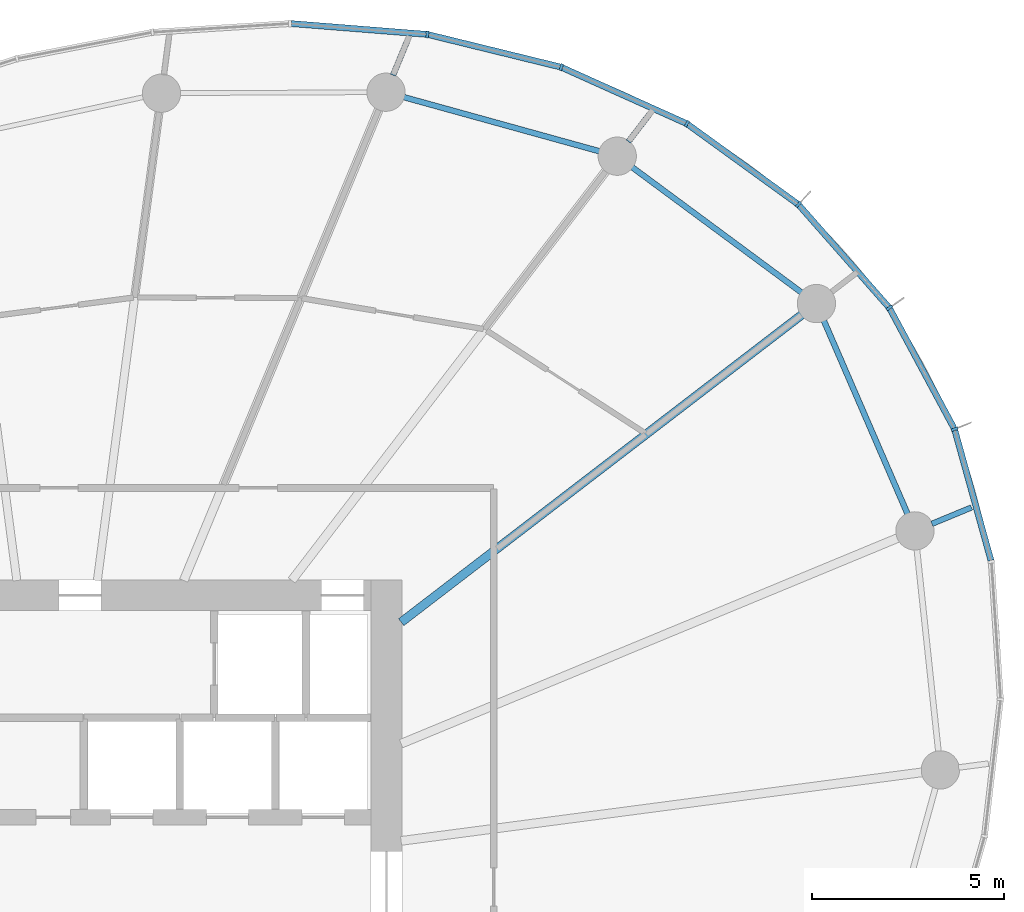
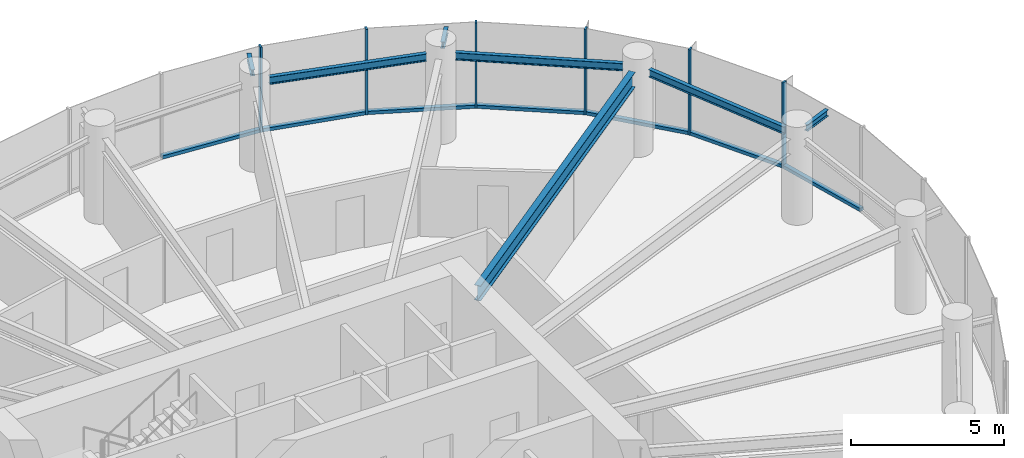
# One storey, part 6 of 15: 13 members, 7 beams, 2 elements without a shape of their own.
"""IFC4 building model written with IfcOpenShell, lengths in metres."""

from ifc_helpers import new_model, si_unit, direction, frame, origin, origin_2d, place, context, subcontext, project, spatial, rectangle, i_section, extrude, source, transform, mapped, material, layer, layer_set, material_profile, profile_set, type_object, element, aggregate, save


model = new_model("IFC4")

# Units and contexts
model_context = context("Model", 3, precision=1e-05, world=origin(), true_north=direction((0.0, 1.0)))
body_context = subcontext(model_context, "Body", "Model", "MODEL_VIEW")
ifc_project = project(units=[si_unit("LENGTHUNIT", "METRE"), si_unit("AREAUNIT", "SQUARE_METRE"), si_unit("VOLUMEUNIT", "CUBIC_METRE"), si_unit("PLANEANGLEUNIT", "RADIAN"), si_unit("MASSUNIT", "GRAM", prefix="KILO")], contexts=[model_context])

# Site, building, storey
site_placement = place(None, origin())
site = spatial("IfcSite", under=ifc_project, at=site_placement, CompositionType="ELEMENT")
building_placement = place(site_placement, origin())
building = spatial("IfcBuilding", under=site, at=building_placement, Name="Spindrift Exchange Tower", CompositionType="ELEMENT")
storey_placement = place(building_placement, frame((0.0, 0.0, 176.0)))
storey = spatial("IfcBuildingStorey", under=building, at=storey_placement, Name="L42", CompositionType="ELEMENT", Elevation=176.0)

# Beams
ifc_material_1 = material(Name="Steel Grade 300", Category="steel")
ifc_material_profile_1 = material_profile(ifc_material_1, i_section(OverallWidth=0.14599609375, OverallDepth=0.251953125, WebThickness=0.006103515625, FlangeThickness=0.008544921875, FilletRadius=0.011962890625, at=origin_2d()), Name="250UB31.4")
ifc_profile_set_1 = profile_set([ifc_material_profile_1], Name="Steel Grade 300")
beam_type_1 = type_object("IfcBeamType", Name="Cantilever Beam 250UB31.4 Steel Grade 300", PredefinedType="BEAM", material=ifc_profile_set_1)
shared_shape_1 = source(origin(), body_context, "Body", "SweptSolid", [
    extrude(i_section(OverallWidth=0.14599609375, OverallDepth=0.251953125, WebThickness=0.006103515625, FlangeThickness=0.008544921875, FilletRadius=0.011962890625, at=origin_2d()), origin(), (0.0, 0.0, 1.0), 0.964111328125),
])
beam_1_placement = place(storey_placement, frame((60.770751953125, 69.17431640625, 3.27392578125), z_axis=(0.382672391391, 0.923884105755, 0.0), x_axis=(-0.923884105755, 0.382672391391, 0.0)))
element("IfcBeam", 1, at=beam_1_placement, inside=storey, type_object=beam_type_1, Name="L42 cantilever beam R05T", PredefinedType="BEAM", context=body_context, shape_type="MappedRepresentation", body=[
    mapped(shared_shape_1, transform((0.0, 0.0, 0.0), scale=1.0)),
])
ifc_material_profile_2 = material_profile(ifc_material_1, i_section(OverallWidth=0.14892578125, OverallDepth=0.298095703125, WebThickness=0.005615234375, FlangeThickness=0.008056640625, FilletRadius=0.012939453125, at=origin_2d()), Name="310UB32.0")
ifc_profile_set_2 = profile_set([ifc_material_profile_2], Name="Steel Grade 300")
beam_type_2 = type_object("IfcBeamType", Name="Edge Beam 310UB32.0 Steel Grade 300", PredefinedType="SPANDREL", material=ifc_profile_set_2)
shared_shape_2 = source(origin(), body_context, "Body", "SweptSolid", [
    extrude(i_section(OverallWidth=0.14892578125, OverallDepth=0.298095703125, WebThickness=0.005615234375, FlangeThickness=0.008056640625, FilletRadius=0.012939453125, at=origin_2d()), origin(), (0.0, 0.0, 1.0), 5.508544921875),
])
beam_2_placement = place(storey_placement, frame((74.205810546875, 57.717529296875, 3.2509765625), z_axis=(-0.397414644433, 0.917639144975, 0.0), x_axis=(-0.917639144975, -0.397414644433, 0.0)))
element("IfcBeam", 2, at=beam_2_placement, inside=storey, type_object=beam_type_2, Name="L42 edge beam E02", PredefinedType="SPANDREL", context=body_context, shape_type="MappedRepresentation", body=[
    mapped(shared_shape_2, transform((0.0, 0.0, 0.0), scale=1.0)),
])
shared_shape_3 = source(origin(), body_context, "Body", "SweptSolid", [
    extrude(i_section(OverallWidth=0.14892578125, OverallDepth=0.298095703125, WebThickness=0.005615234375, FlangeThickness=0.008056640625, FilletRadius=0.012939453125, at=origin_2d()), origin(), (0.0, 0.0, 1.0), 5.509033203125),
])
beam_3_placement = place(storey_placement, frame((71.43994140625, 63.498291015625, 3.2509765625), z_axis=(-0.803991901791, 0.594640245741, 0.0), x_axis=(-0.594640245741, -0.803991901791, 0.0)))
element("IfcBeam", 3, at=beam_3_placement, inside=storey, type_object=beam_type_2, Name="L42 edge beam E03", PredefinedType="SPANDREL", context=body_context, shape_type="MappedRepresentation", body=[
    mapped(shared_shape_3, transform((0.0, 0.0, 0.0), scale=1.0)),
])
shared_shape_4 = source(origin(), body_context, "Body", "SweptSolid", [
    extrude(i_section(OverallWidth=0.14892578125, OverallDepth=0.298095703125, WebThickness=0.005615234375, FlangeThickness=0.008056640625, FilletRadius=0.012939453125, at=origin_2d()), origin(), (0.0, 0.0, 1.0), 5.30517578125),
])
beam_4_placement = place(storey_placement, frame((66.162353515625, 67.1875, 3.2509765625), z_axis=(-0.963757513624, 0.26677978734, 0.0), x_axis=(-0.26677978734, -0.963757513624, 0.0)))
element("IfcBeam", 4, at=beam_4_placement, inside=storey, type_object=beam_type_2, Name="L42 edge beam E04", PredefinedType="SPANDREL", context=body_context, shape_type="MappedRepresentation", body=[
    mapped(shared_shape_4, transform((0.0, 0.0, 0.0), scale=1.0)),
])
ifc_material_profile_3 = material_profile(ifc_material_1, i_section(OverallWidth=0.22802734375, OverallDepth=0.60205078125, WebThickness=0.010498046875, FlangeThickness=0.014892578125, FilletRadius=0.013916015625, at=origin_2d()), Name="610UB101")
ifc_profile_set_3 = profile_set([ifc_material_profile_3], Name="Steel Grade 300")
beam_type_3 = type_object("IfcBeamType", Name="Floor Beam 610UB101 Steel Grade 300", PredefinedType="BEAM", material=ifc_profile_set_3)
shared_shape_5 = source(origin(), body_context, "Body", "SweptSolid", [
    extrude(i_section(OverallWidth=0.22802734375, OverallDepth=0.60205078125, WebThickness=0.010498046875, FlangeThickness=0.014892578125, FilletRadius=0.013916015625, at=origin_2d()), origin(), (0.0, 0.0, 1.0), 13.185546875),
])
beam_5_placement = place(storey_placement, frame((60.984130859375, 54.893798828125, 3.09912109375), z_axis=(0.793357156703, 0.608756455332, 0.0), x_axis=(-0.608756455332, 0.793357156703, 0.0)))
element("IfcBeam", 5, at=beam_5_placement, inside=storey, type_object=beam_type_3, Name="L42 radial beam R03A", PredefinedType="BEAM", context=body_context, shape_type="MappedRepresentation", body=[
    mapped(shared_shape_5, transform((0.0, 0.0, 0.0), scale=1.0)),
])
shared_shape_6 = source(origin(), body_context, "Body", "SweptSolid", [
    extrude(i_section(OverallWidth=0.14599609375, OverallDepth=0.251953125, WebThickness=0.006103515625, FlangeThickness=0.008544921875, FilletRadius=0.011962890625, at=origin_2d()), origin(), (0.0, 0.0, 1.0), 1.1201171875),
])
beam_6_placement = place(storey_placement, frame((74.840087890625, 57.460693359375, 3.27392578125), z_axis=(0.923868073298, 0.382711096181, 0.0), x_axis=(-0.382711096181, 0.923868073298, 0.0)))
element("IfcBeam", 6, at=beam_6_placement, inside=storey, type_object=beam_type_1, Name="L42 cantilever beam R02T", PredefinedType="BEAM", context=body_context, shape_type="MappedRepresentation", body=[
    mapped(shared_shape_6, transform((0.0, 0.0, 0.0), scale=1.0)),
])
shared_shape_7 = source(origin(), body_context, "Body", "SweptSolid", [
    extrude(i_section(OverallWidth=0.14599609375, OverallDepth=0.251953125, WebThickness=0.006103515625, FlangeThickness=0.008544921875, FilletRadius=0.011962890625, at=origin_2d()), origin(), (0.0, 0.0, 1.0), 0.89990234375),
])
beam_7_placement = place(storey_placement, frame((66.9169921875, 67.440185546875, 3.27392578125), z_axis=(0.608818785139, 0.79330932609, 0.0), x_axis=(-0.79330932609, 0.608818785139, 0.0)))
element("IfcBeam", 7, at=beam_7_placement, inside=storey, type_object=beam_type_1, Name="L42 cantilever beam R04T", PredefinedType="BEAM", context=body_context, shape_type="MappedRepresentation", body=[
    mapped(shared_shape_7, transform((0.0, 0.0, 0.0), scale=1.0)),
])

# Curtain wall, member
ifc_material_2 = material(Name="Fritted laminated glass with bronze frame", Category="glass")
ifc_layer = layer(ifc_material_2, 0.179931640625)
ifc_layer_set = layer_set([ifc_layer], Name="ZONE 3 BRONZE FRITTED WALL")
curtain_wall_type = type_object("IfcCurtainWallType", Name="ZONE 3 BRONZE FRITTED WALL", PredefinedType="NOTDEFINED", material=ifc_layer_set)
curtain_wall_1_placement = place(storey_placement, origin())
curtain_wall_1 = element("IfcCurtainWall", 8, at=curtain_wall_1_placement, inside=storey, type_object=curtain_wall_type, Name="L42 Zone 3 Bronze Fritted Wall run 1", PredefinedType="NOTDEFINED")
ifc_material_3 = material(Name="Bronze anodised aluminium", Category="aluminium")
ifc_material_profile_4 = material_profile(ifc_material_3, rectangle(XDim=0.159912109375, YDim=0.1298828125, at=origin_2d()), Name="ZONE 3 BRONZE FRITTED WALL TRANSOM 160X130")
ifc_profile_set_4 = profile_set([ifc_material_profile_4], Name="Bronze anodised aluminium")
member_type_1 = type_object("IfcMemberType", Name="ZONE 3 BRONZE FRITTED WALL TRANSOM 160X130", PredefinedType="USERDEFINED", material=ifc_profile_set_4)
shared_shape_8 = source(origin(), body_context, "Body", "SweptSolid", [
    extrude(rectangle(XDim=0.159912109375, YDim=0.1298828125, at=origin_2d()), origin(), (0.0, 0.0, 1.0), 3.524658203125),
])
member_1_placement = place(storey_placement, frame((73.70703125, 63.126220703125, 0.06494140625), z_axis=(-0.660649754627, 0.750694279791, 0.0), x_axis=(-0.750694279791, -0.660649754627, 0.0)))
member_1 = element("IfcMember", 9, at=member_1_placement, type_object=member_type_1, Name="L42 transom CW-3.1", ObjectType="TRANSOM", PredefinedType="USERDEFINED", context=body_context, shape_type="MappedRepresentation", body=[
    mapped(shared_shape_8, transform((0.0, 0.0, 0.0), scale=1.0)),
])

# Curtain wall, members
curtain_wall_2_placement = place(storey_placement, origin())
curtain_wall_2 = element("IfcCurtainWall", 10, at=curtain_wall_2_placement, inside=storey, type_object=curtain_wall_type, Name="L42 Zone 3 Bronze Fritted Wall run 7", PredefinedType="NOTDEFINED")
member_2_placement = place(storey_placement, frame((75.41455078125, 59.9638671875, 0.06494140625), z_axis=(-0.473149535638, 0.880982132013, 0.0), x_axis=(-0.880982132013, -0.473149535638, 0.0)))
member_2 = element("IfcMember", 11, at=member_2_placement, type_object=member_type_1, Name="L42 transom CW-3.41", ObjectType="TRANSOM", PredefinedType="USERDEFINED", context=body_context, shape_type="MappedRepresentation", body=[
    mapped(shared_shape_8, transform((0.0, 0.0, 0.0), scale=1.0)),
])
shared_shape_9 = source(origin(), body_context, "Body", "SweptSolid", [
    extrude(rectangle(XDim=0.159912109375, YDim=0.1298828125, at=origin_2d()), origin(), (0.0, 0.0, 1.0), 3.525390625),
])
member_3_placement = place(storey_placement, frame((76.383544921875, 56.502197265625, 0.06494140625), z_axis=(-0.26751528139, 0.963553617721, 0.0), x_axis=(-0.963553617721, -0.26751528139, 0.0)))
member_3 = element("IfcMember", 12, at=member_3_placement, type_object=member_type_1, Name="L42 transom CW-3.40", ObjectType="TRANSOM", PredefinedType="USERDEFINED", context=body_context, shape_type="MappedRepresentation", body=[
    mapped(shared_shape_9, transform((0.0, 0.0, 0.0), scale=1.0)),
])

# Member
shared_shape_10 = source(origin(), body_context, "Body", "SweptSolid", [
    extrude(rectangle(XDim=0.159912109375, YDim=0.1298828125, at=origin_2d()), origin(), (0.0, 0.0, 1.0), 3.528076171875),
])
member_4_placement = place(storey_placement, frame((65.12939453125, 69.39208984375, 0.06494140625), z_axis=(-0.97125553348, 0.238039258704, 0.0), x_axis=(-0.238039258704, -0.97125553348, 0.0)))
member_4 = element("IfcMember", 13, at=member_4_placement, type_object=member_type_1, Name="L42 transom CW-3.4", ObjectType="TRANSOM", PredefinedType="USERDEFINED", context=body_context, shape_type="MappedRepresentation", body=[
    mapped(shared_shape_10, transform((0.0, 0.0, 0.0), scale=1.0)),
])

shared_shape_11 = source(origin(), body_context, "Body", "SweptSolid", [
    extrude(rectangle(XDim=0.159912109375, YDim=0.1298828125, at=origin_2d()), origin(), (0.0, 0.0, 1.0), 3.529052734375),
])
member_5_placement = place(storey_placement, frame((61.6337890625, 70.242919921875, 0.06494140625), z_axis=(-0.99685256237, 0.07927779573, 0.0), x_axis=(-0.07927779573, -0.99685256237, 0.0)))
member_5 = element("IfcMember", 14, at=member_5_placement, type_object=member_type_1, Name="L42 transom CW-3.5", ObjectType="TRANSOM", PredefinedType="USERDEFINED", context=body_context, shape_type="MappedRepresentation", body=[
    mapped(shared_shape_11, transform((0.0, 0.0, 0.0), scale=1.0)),
])

shared_shape_12 = source(origin(), body_context, "Body", "SweptSolid", [
    extrude(rectangle(XDim=0.159912109375, YDim=0.1298828125, at=origin_2d()), origin(), (0.0, 0.0, 1.0), 3.52685546875),
])
member_6_placement = place(storey_placement, frame((68.411865234375, 67.922607421875, 0.06494140625), z_axis=(-0.911992727656, 0.410206368432, 0.0), x_axis=(-0.410206368432, -0.911992727656, 0.0)))
member_6 = element("IfcMember", 15, at=member_6_placement, type_object=member_type_1, Name="L42 transom CW-3.3", ObjectType="TRANSOM", PredefinedType="USERDEFINED", context=body_context, shape_type="MappedRepresentation", body=[
    mapped(shared_shape_12, transform((0.0, 0.0, 0.0), scale=1.0)),
])

shared_shape_13 = source(origin(), body_context, "Body", "SweptSolid", [
    extrude(rectangle(XDim=0.159912109375, YDim=0.1298828125, at=origin_2d()), origin(), (0.0, 0.0, 1.0), 3.525634765625),
])
member_7_placement = place(storey_placement, frame((71.326904296875, 65.819091796875, 0.06494140625), z_axis=(-0.809779882967, 0.586733790694, 0.0), x_axis=(-0.586733790694, -0.809779882967, 0.0)))
member_7 = element("IfcMember", 16, at=member_7_placement, type_object=member_type_1, Name="L42 transom CW-3.2", ObjectType="TRANSOM", PredefinedType="USERDEFINED", context=body_context, shape_type="MappedRepresentation", body=[
    mapped(shared_shape_13, transform((0.0, 0.0, 0.0), scale=1.0)),
])

ifc_material_profile_5 = material_profile(ifc_material_3, rectangle(XDim=0.070068359375, YDim=0.179931640625, at=origin_2d()), Name="ZONE 3 BRONZE FRITTED WALL MULLION 70X180")
ifc_profile_set_5 = profile_set([ifc_material_profile_5], Name="Bronze anodised aluminium")
member_type_2 = type_object("IfcMemberType", Name="ZONE 3 BRONZE FRITTED WALL MULLION 70X180", PredefinedType="MULLION", material=ifc_profile_set_5)
shared_shape_14 = source(origin(), body_context, "Body", "SweptSolid", [
    extrude(rectangle(XDim=0.070068359375, YDim=0.179931640625, at=origin_2d()), origin(), (0.0, 0.0, 1.0), 3.39990234375),
])
member_8_placement = place(storey_placement, frame((73.730224609375, 63.10009765625, 0.0), z_axis=(0.0, 0.0, 1.0), x_axis=(-0.570626908797, 0.821209431848, 0.0)))
member_8 = element("IfcMember", 17, at=member_8_placement, type_object=member_type_2, Name="L42 mullion CW-3.1", PredefinedType="MULLION", context=body_context, shape_type="MappedRepresentation", body=[
    mapped(shared_shape_14, transform((0.0, 0.0, 0.0), scale=1.0)),
])

member_9_placement = place(storey_placement, frame((71.355224609375, 65.798583984375, 0.0), z_axis=(0.0, 0.0, 1.0), x_axis=(-0.73976391823, 0.672866513719, 0.0)))
member_9 = element("IfcMember", 18, at=member_9_placement, type_object=member_type_2, Name="L42 mullion CW-3.2", PredefinedType="MULLION", context=body_context, shape_type="MappedRepresentation", body=[
    mapped(shared_shape_14, transform((0.0, 0.0, 0.0), scale=1.0)),
])

member_10_placement = place(storey_placement, frame((68.443603515625, 67.908203125, 0.0), z_axis=(0.0, 0.0, 1.0), x_axis=(-0.86539549749, 0.501089446031, 0.0)))
member_10 = element("IfcMember", 19, at=member_10_placement, type_object=member_type_2, Name="L42 mullion CW-3.3", PredefinedType="MULLION", context=body_context, shape_type="MappedRepresentation", body=[
    mapped(shared_shape_14, transform((0.0, 0.0, 0.0), scale=1.0)),
])

member_11_placement = place(storey_placement, frame((65.163330078125, 69.3837890625, 0.0), z_axis=(0.0, 0.0, 1.0), x_axis=(-0.945554560129, 0.325463629027, 0.0)))
member_11 = element("IfcMember", 20, at=member_11_placement, type_object=member_type_2, Name="L42 mullion CW-3.4", PredefinedType="MULLION", context=body_context, shape_type="MappedRepresentation", body=[
    mapped(shared_shape_14, transform((0.0, 0.0, 0.0), scale=1.0)),
])

member_12_placement = place(storey_placement, frame((61.668701171875, 70.240234375, 0.0), z_axis=(0.0, 0.0, 1.0), x_axis=(-0.987248937341, 0.159183968162, 0.0)))
member_12 = element("IfcMember", 21, at=member_12_placement, type_object=member_type_2, Name="L42 mullion CW-3.5", PredefinedType="MULLION", context=body_context, shape_type="MappedRepresentation", body=[
    mapped(shared_shape_14, transform((0.0, 0.0, 0.0), scale=1.0)),
])

aggregate(curtain_wall_1, [member_8, member_1, member_9, member_7, member_10, member_6, member_11, member_4, member_12, member_5])

member_13_placement = place(storey_placement, frame((75.430908203125, 59.93310546875, 0.0), z_axis=(0.0, 0.0, 1.0), x_axis=(-0.372632011007, 0.927979193933, 0.0)))
member_13 = element("IfcMember", 22, at=member_13_placement, type_object=member_type_2, Name="L42 mullion CW-3.41", PredefinedType="MULLION", context=body_context, shape_type="MappedRepresentation", body=[
    mapped(shared_shape_14, transform((0.0, 0.0, 0.0), scale=1.0)),
])

aggregate(curtain_wall_2, [member_3, member_13, member_2])

save(model, "model.ifc")
